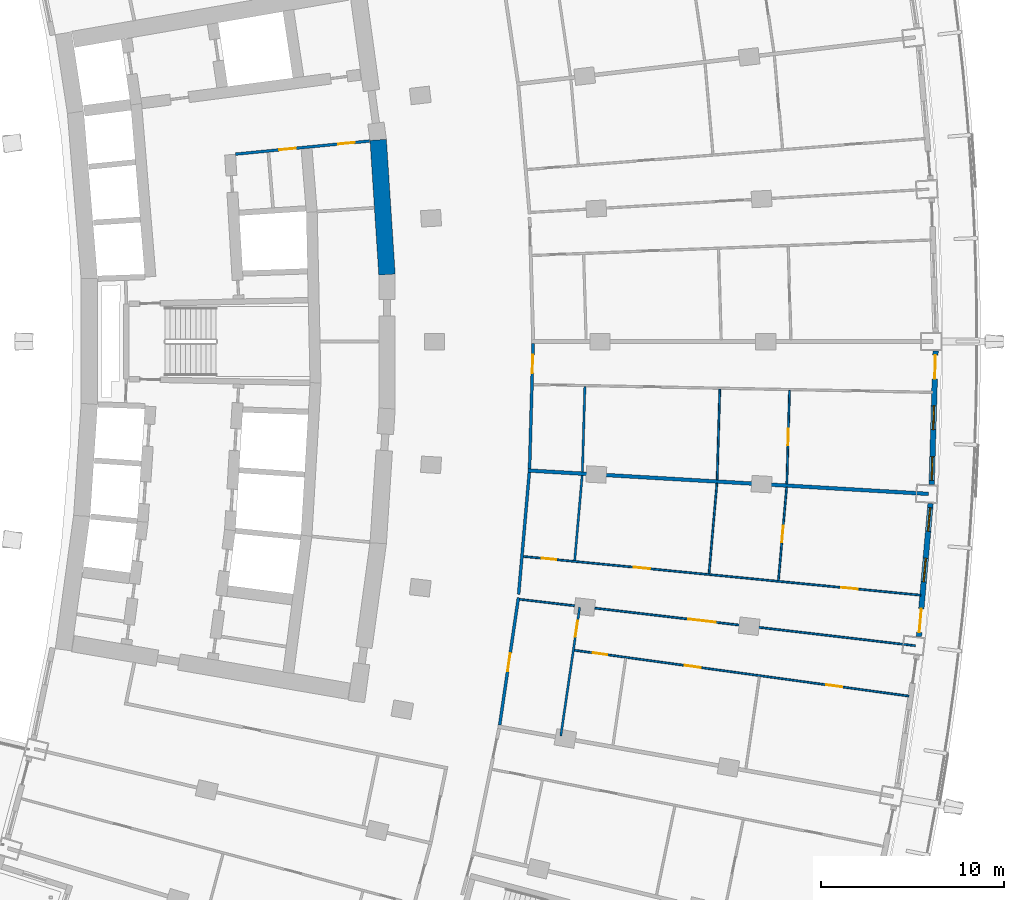
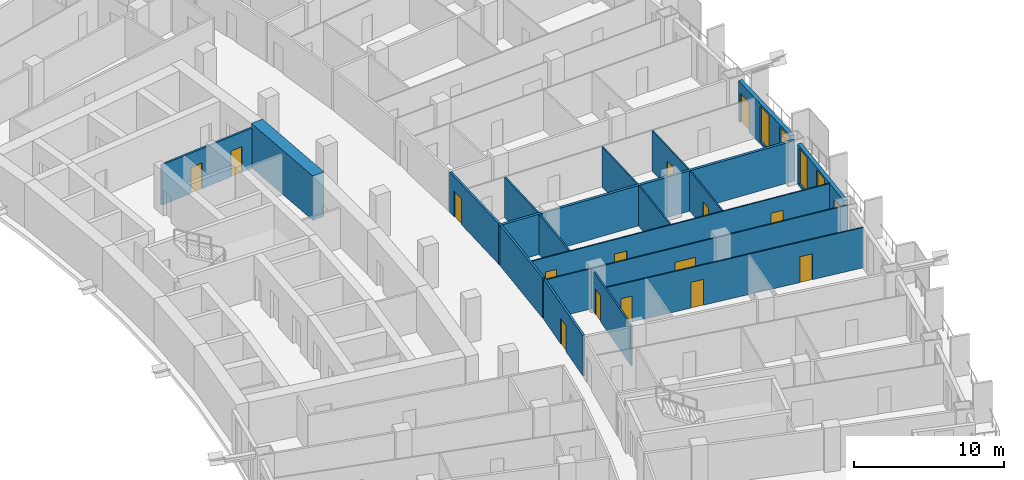
# One storey, part 14 of 22: 18 walls, 16 doors, 4 windows, 20 openings.
"""IFC4 building model written with IfcOpenShell, lengths in metres."""

from ifc_helpers import new_model, si_unit, direction, frame, frame_2d, origin, place, context, subcontext, project, spatial, rectangle, extrude, material, layer, layer_set, type_object, element, fill, save


model = new_model("IFC4")

# Units and contexts
model_context = context("Model", 3, precision=1e-05, world=origin(), true_north=direction((0.0, 1.0)))
body_context = subcontext(model_context, "Body", "Model", "MODEL_VIEW")
ifc_project = project(units=[si_unit("LENGTHUNIT", "METRE"), si_unit("AREAUNIT", "SQUARE_METRE"), si_unit("VOLUMEUNIT", "CUBIC_METRE"), si_unit("PLANEANGLEUNIT", "RADIAN"), si_unit("MASSUNIT", "GRAM", prefix="KILO")], contexts=[model_context])

# Site, building, storey
site_placement = place(None, origin())
site = spatial("IfcSite", under=ifc_project, at=site_placement, CompositionType="ELEMENT")
building_placement = place(site_placement, origin())
building = spatial("IfcBuilding", under=site, at=building_placement, Name="Alderwake Tower", CompositionType="ELEMENT")
storey_placement = place(building_placement, frame((0.0, 0.0, 50.0)))
storey = spatial("IfcBuildingStorey", under=building, at=storey_placement, Name="L11", CompositionType="ELEMENT", Elevation=50.0)

# Wall, openings, doors
ifc_material_1 = material(Name="Gypsum shaft wall system, rated")
ifc_layer_1 = layer(ifc_material_1, 0.14990234375)
ifc_layer_set_1 = layer_set([ifc_layer_1], Name="Core room partition 150")
wall_type_1 = type_object("IfcWallType", Name="Core room partition 150", PredefinedType="PARTITIONING", material=ifc_layer_set_1)
wall_1_placement = place(storey_placement, frame((32.233642578125, 71.982177734375, 0.0), z_axis=(0.0, 0.0, 1.0), x_axis=(-0.995245540971, -0.097397706226, 0.0)))
wall_1 = element("IfcWall", 1, at=wall_1_placement, inside=storey, type_object=wall_type_1, Name="CW/L11/PR+102_+86", PredefinedType="PARTITIONING", context=body_context, shape_type="SweptSolid", body=[
    extrude(rectangle(XDim=7.36962890625, YDim=0.14990234375, at=frame_2d((3.684814453125, 0.0))), origin(), (0.0, 0.0, 1.0), 3.280029296875),
])
opening_1_placement = place(wall_1_placement, frame((4.069580078125, 0.0, 0.0)))
opening_1 = element("IfcOpeningElement", 2, at=opening_1_placement, cuts=wall_1, Name="Opening C022", PredefinedType="OPENING", context=body_context, shape_type="SweptSolid", body=[
    extrude(rectangle(XDim=0.89990234375, YDim=2.10009765625, at=frame_2d((0.449951171875, 1.050048828125))), frame((0.0, 0.0849609375, 0.0), z_axis=(0.0, -1.0, 0.0), x_axis=(1.0, 0.0, 0.0)), (0.0, 0.0, 1.0), 0.169921875),
])
opening_2_placement = place(wall_1_placement, frame((0.819580078125, 0.0, 0.0)))
opening_2 = element("IfcOpeningElement", 3, at=opening_2_placement, cuts=wall_1, Name="Opening C036", PredefinedType="OPENING", context=body_context, shape_type="SweptSolid", body=[
    extrude(rectangle(XDim=0.89990234375, YDim=2.10009765625, at=frame_2d((0.449951171875, 1.050048828125))), frame((0.0, 0.0849609375, 0.0), z_axis=(0.0, -1.0, 0.0), x_axis=(1.0, 0.0, 0.0)), (0.0, 0.0, 1.0), 0.169921875),
])
ifc_material_2 = material(Name="Painted steel leaf", Category="steel")
door_type_1 = type_object("IfcDoorType", Name="Core room door 900", OperationType="SINGLE_SWING_LEFT", PredefinedType="DOOR", material=ifc_material_2)
door_1_placement = place(opening_1_placement, origin())
door_1 = element("IfcDoor", 4, at=door_1_placement, inside=storey, type_object=door_type_1, Name="Room door", OperationType="SINGLE_SWING_RIGHT", OverallHeight=2.10009765625, OverallWidth=0.89990234375, PredefinedType="DOOR", context=body_context, shape_type="SweptSolid", body=[
    extrude(rectangle(XDim=0.89990234375, YDim=2.10009765625, at=frame_2d((0.449951171875, 1.050048828125))), frame((0.0, 0.02490234375, 0.0), z_axis=(0.0, -1.0, 0.0), x_axis=(1.0, 0.0, 0.0)), (0.0, 0.0, 1.0), 0.050048828125),
])
fill(opening_1, door_1)
door_2_placement = place(opening_2_placement, origin())
door_2 = element("IfcDoor", 5, at=door_2_placement, inside=storey, type_object=door_type_1, Name="Room door", OperationType="SINGLE_SWING_RIGHT", OverallHeight=2.10009765625, OverallWidth=0.89990234375, PredefinedType="DOOR", context=body_context, shape_type="SweptSolid", body=[
    extrude(rectangle(XDim=0.89990234375, YDim=2.10009765625, at=frame_2d((0.449951171875, 1.050048828125))), frame((0.0, 0.02490234375, 0.0), z_axis=(0.0, -1.0, 0.0), x_axis=(1.0, 0.0, 0.0)), (0.0, 0.0, 1.0), 0.050048828125),
])
fill(opening_2, door_2)

# Wall
ifc_material_3 = material(Name="Concrete C70/85", Category="concrete")
ifc_layer_2 = layer(ifc_material_3, 0.89990234375)
ifc_layer_set_2 = layer_set([ifc_layer_2], Name="Core wall outer 900 C70-85")
wall_type_2 = type_object("IfcWallType", Name="Core wall outer 900 C70-85", PredefinedType="SHEAR", material=ifc_layer_set_2)
wall_2_placement = place(storey_placement, frame((33.191162109375, 64.66650390625, 0.0), z_axis=(0.0, 0.0, 1.0), x_axis=(-0.064976219143, 0.997886812693, 0.0)))
element("IfcWall", 6, at=wall_2_placement, inside=storey, type_object=wall_type_2, Name="Core wall CW.010", PredefinedType="SHEAR", context=body_context, shape_type="SweptSolid", body=[
    extrude(rectangle(XDim=7.39453125, YDim=0.89990234375, at=frame_2d((3.697265625, 0.0))), origin(), (0.0, 0.0, 1.0), 3.60009765625),
])

# Wall, opening, door
ifc_material_4 = material(Name="Gypsum board on metal studs, rated")
ifc_layer_3 = layer(ifc_material_4, 0.159912109375)
ifc_layer_set_3 = layer_set([ifc_layer_3], Name="Corridor wall 160")
wall_type_3 = type_object("IfcWallType", Name="Corridor wall 160", PredefinedType="PARTITIONING", material=ifc_layer_set_3)
wall_3_placement = place(storey_placement, frame((40.388671875, 46.97216796875, 0.0), z_axis=(0.0, 0.0, 1.0), x_axis=(-0.145525888156, -0.989354444007, 0.0)))
wall_3 = element("IfcWall", 7, at=wall_3_placement, inside=storey, type_object=wall_type_3, Name="WL/L11/W33", PredefinedType="PARTITIONING", context=body_context, shape_type="SweptSolid", body=[
    extrude(rectangle(XDim=7.051025390625, YDim=0.159912109375, at=frame_2d((3.525390625, 0.0))), origin(), (0.0, 0.0, 1.0), 3.280029296875),
])
opening_3_placement = place(wall_3_placement, frame((3.066162109375, 0.0, 0.0)))
opening_3 = element("IfcOpeningElement", 8, at=opening_3_placement, cuts=wall_3, Name="Opening R02-U06.2", PredefinedType="OPENING", context=body_context, shape_type="SweptSolid", body=[
    extrude(rectangle(XDim=1.0, YDim=2.10009765625, at=frame_2d((0.5, 1.050048828125))), frame((0.0, 0.08984375, 0.0), z_axis=(0.0, -1.0, 0.0), x_axis=(1.0, 0.0, 0.0)), (0.0, 0.0, 1.0), 0.179931640625),
])
ifc_material_5 = material(Name="Solid timber leaf in steel frame", Category="steel")
door_type_2 = type_object("IfcDoorType", Name="Flat entrance door 1000 fire-rated", OperationType="SINGLE_SWING_LEFT", PredefinedType="DOOR", material=ifc_material_5)
door_3_placement = place(opening_3_placement, origin())
door_3 = element("IfcDoor", 9, at=door_3_placement, inside=storey, type_object=door_type_2, Name="DR/L11/U06.2", OperationType="SINGLE_SWING_LEFT", OverallHeight=2.10009765625, OverallWidth=1.0, PredefinedType="DOOR", context=body_context, shape_type="SweptSolid", body=[
    extrude(rectangle(XDim=1.0, YDim=2.10009765625, at=frame_2d((0.5, 1.050048828125))), frame((0.0, 0.02490234375, 0.0), z_axis=(0.0, -1.0, 0.0), x_axis=(1.0, 0.0, 0.0)), (0.0, 0.0, 1.0), 0.050048828125),
])
fill(opening_3, door_3)

# Wall
wall_4_placement = place(storey_placement, frame((40.400390625, 47.15869140625, 0.0), z_axis=(0.0, 0.0, 1.0), x_axis=(0.087437661692, 0.996169993183, 0.0)))
element("IfcWall", 10, at=wall_4_placement, inside=storey, type_object=wall_type_3, Name="WL/L11/W36", PredefinedType="PARTITIONING", context=body_context, shape_type="SweptSolid", body=[
    extrude(rectangle(XDim=6.701171875, YDim=0.159912109375, at=frame_2d((3.3505859375, 0.0))), origin(), (0.0, 0.0, 1.0), 3.280029296875),
])

# Wall, opening, door
wall_5_placement = place(storey_placement, frame((41.196044921875, 60.89892578125, 0.0), z_axis=(0.0, 0.0, 1.0), x_axis=(-0.028865238788, -0.99958331218, 0.0)))
wall_5 = element("IfcWall", 11, at=wall_5_placement, inside=storey, type_object=wall_type_3, Name="WL/L11/W37", PredefinedType="PARTITIONING", context=body_context, shape_type="SweptSolid", body=[
    extrude(rectangle(XDim=6.867919921875, YDim=0.159912109375, at=frame_2d((3.43408203125, 0.0))), origin(), (0.0, 0.0, 1.0), 3.280029296875),
])
opening_4_placement = place(wall_5_placement, frame((0.627685546875, 0.0, 0.0)))
opening_4 = element("IfcOpeningElement", 12, at=opening_4_placement, cuts=wall_5, Name="Opening R02-U07.3", PredefinedType="OPENING", context=body_context, shape_type="SweptSolid", body=[
    extrude(rectangle(XDim=1.0, YDim=2.10009765625, at=frame_2d((0.5, 1.050048828125))), frame((0.0, 0.08984375, 0.0), z_axis=(0.0, -1.0, 0.0), x_axis=(1.0, 0.0, 0.0)), (0.0, 0.0, 1.0), 0.179931640625),
])
door_4_placement = place(opening_4_placement, origin())
door_4 = element("IfcDoor", 13, at=door_4_placement, inside=storey, type_object=door_type_2, Name="DR/L11/U07.3", OperationType="SINGLE_SWING_LEFT", OverallHeight=2.10009765625, OverallWidth=1.0, PredefinedType="DOOR", context=body_context, shape_type="SweptSolid", body=[
    extrude(rectangle(XDim=1.0, YDim=2.10009765625, at=frame_2d((0.5, 1.050048828125))), frame((0.0, 0.02490234375, 0.0), z_axis=(0.0, -1.0, 0.0), x_axis=(1.0, 0.0, 0.0)), (0.0, 0.0, 1.0), 0.050048828125),
])
fill(opening_4, door_4)

# Wall, openings, door, windows
ifc_material_6 = material(Name="Precast concrete C50/60 spandrel panel", Category="concrete")
ifc_layer_4 = layer(ifc_material_6, 0.300048828125)
ifc_layer_set_4 = layer_set([ifc_layer_4], Name="External wall EW1 Precast concrete C50/60 spandrel")
wall_type_4 = type_object("IfcWallType", Name="External wall EW1 Precast concrete C50/60 spandrel", PredefinedType="SOLIDWALL", material=ifc_layer_set_4)
wall_6_placement = place(storey_placement, frame((62.322021484375, 44.847900390625, 0.0), z_axis=(0.0, 0.0, 1.0), x_axis=(0.087383747715, 0.996174723949, 0.0)))
wall_6 = element("IfcWall", 14, at=wall_6_placement, inside=storey, type_object=wall_type_4, Name="External wall 15", PredefinedType="SOLIDWALL", context=body_context, shape_type="SweptSolid", body=[
    extrude(rectangle(XDim=7.305908203125, YDim=0.300048828125, at=frame_2d((3.65283203125, 0.0))), origin(), (0.0, 0.0, 1.0), 3.280029296875),
])
opening_5_placement = place(wall_6_placement, frame((0.222900390625, 0.0, 0.0)))
opening_5 = element("IfcOpeningElement", 15, at=opening_5_placement, cuts=wall_6, Name="Opening D06", PredefinedType="OPENING", context=body_context, shape_type="SweptSolid", body=[
    extrude(rectangle(XDim=1.300048828125, YDim=2.39990234375, at=frame_2d((0.64990234375, 1.199951171875))), frame((0.0, 0.159912109375, 0.0), z_axis=(0.0, -1.0, 0.0), x_axis=(1.0, 0.0, 0.0)), (0.0, 0.0, 1.0), 0.320068359375),
])
opening_6_placement = place(wall_6_placement, frame((3.0029296875, 0.0, 0.199951171875)))
opening_6 = element("IfcOpeningElement", 16, at=opening_6_placement, cuts=wall_6, Name="Opening W1", PredefinedType="OPENING", context=body_context, shape_type="SweptSolid", body=[
    extrude(rectangle(XDim=1.300048828125, YDim=2.89990234375, at=frame_2d((0.64990234375, 1.449951171875))), frame((0.0, 0.159912109375, 0.0), z_axis=(0.0, -1.0, 0.0), x_axis=(1.0, 0.0, 0.0)), (0.0, 0.0, 1.0), 0.320068359375),
])
opening_7_placement = place(wall_6_placement, frame((5.783203125, 0.0, 0.199951171875)))
opening_7 = element("IfcOpeningElement", 17, at=opening_7_placement, cuts=wall_6, Name="Opening W1", PredefinedType="OPENING", context=body_context, shape_type="SweptSolid", body=[
    extrude(rectangle(XDim=1.300048828125, YDim=2.89990234375, at=frame_2d((0.64990234375, 1.449951171875))), frame((0.0, 0.159912109375, 0.0), z_axis=(0.0, -1.0, 0.0), x_axis=(1.0, 0.0, 0.0)), (0.0, 0.0, 1.0), 0.320068359375),
])
ifc_material_7 = material(Name="Bronze tinted glass in aluminium frame", Category="aluminium")
door_type_3 = type_object("IfcDoorType", Name="Balcony door BD sliding", OperationType="SLIDING_TO_LEFT", PredefinedType="DOOR", material=ifc_material_7)
door_5_placement = place(opening_5_placement, origin())
door_5 = element("IfcDoor", 18, at=door_5_placement, inside=storey, type_object=door_type_3, Name="Door D06", OperationType="SLIDING_TO_LEFT", OverallHeight=2.39990234375, OverallWidth=1.300048828125, PredefinedType="DOOR", context=body_context, shape_type="SweptSolid", body=[
    extrude(rectangle(XDim=1.300048828125, YDim=2.39990234375, at=frame_2d((0.64990234375, 1.199951171875))), frame((0.0, 0.02490234375, 0.0), z_axis=(0.0, -1.0, 0.0), x_axis=(1.0, 0.0, 0.0)), (0.0, 0.0, 1.0), 0.050048828125),
])
fill(opening_5, door_5)
ifc_material_8 = material(Name="Bronze tinted glass in aluminium frame", Category="aluminium")
window_type = type_object("IfcWindowType", Name="Window W1 tall fixed and vent", PartitioningType="DOUBLE_PANEL_VERTICAL", PredefinedType="WINDOW", material=ifc_material_8)
window_1_placement = place(opening_6_placement, origin())
window_1 = element("IfcWindow", 19, at=window_1_placement, inside=storey, type_object=window_type, Name="Window W1 tall fixed and vent", OverallHeight=2.89990234375, OverallWidth=1.300048828125, PartitioningType="DOUBLE_PANEL_VERTICAL", PredefinedType="WINDOW", context=body_context, shape_type="SweptSolid", body=[
    extrude(rectangle(XDim=1.300048828125, YDim=2.89990234375, at=frame_2d((0.64990234375, 1.449951171875))), frame((0.0, 0.030029296875, 0.0), z_axis=(0.0, -1.0, 0.0), x_axis=(1.0, 0.0, 0.0)), (0.0, 0.0, 1.0), 0.06005859375),
])
fill(opening_6, window_1)
window_2_placement = place(opening_7_placement, origin())
window_2 = element("IfcWindow", 20, at=window_2_placement, inside=storey, type_object=window_type, Name="Window W1 tall fixed and vent", OverallHeight=2.89990234375, OverallWidth=1.300048828125, PartitioningType="DOUBLE_PANEL_VERTICAL", PredefinedType="WINDOW", context=body_context, shape_type="SweptSolid", body=[
    extrude(rectangle(XDim=1.300048828125, YDim=2.89990234375, at=frame_2d((0.64990234375, 1.449951171875))), frame((0.0, 0.030029296875, 0.0), z_axis=(0.0, -1.0, 0.0), x_axis=(1.0, 0.0, 0.0)), (0.0, 0.0, 1.0), 0.06005859375),
])
fill(opening_7, window_2)

wall_7_placement = place(storey_placement, frame((63.021728515625, 53.1728515625, 0.0), z_axis=(0.0, 0.0, 1.0), x_axis=(0.029139800133, 0.999575345859, 0.0)))
wall_7 = element("IfcWall", 21, at=wall_7_placement, inside=storey, type_object=wall_type_4, Name="External wall 16", PredefinedType="SOLIDWALL", context=body_context, shape_type="SweptSolid", body=[
    extrude(rectangle(XDim=7.305908203125, YDim=0.300048828125, at=frame_2d((3.65283203125, 0.0))), origin(), (0.0, 0.0, 1.0), 3.280029296875),
])
opening_8_placement = place(wall_7_placement, frame((0.222900390625, 0.0, 0.199951171875)))
opening_8 = element("IfcOpeningElement", 22, at=opening_8_placement, cuts=wall_7, Name="Opening W1", PredefinedType="OPENING", context=body_context, shape_type="SweptSolid", body=[
    extrude(rectangle(XDim=1.300048828125, YDim=2.89990234375, at=frame_2d((0.64990234375, 1.449951171875))), frame((0.0, 0.159912109375, 0.0), z_axis=(0.0, -1.0, 0.0), x_axis=(1.0, 0.0, 0.0)), (0.0, 0.0, 1.0), 0.320068359375),
])
opening_9_placement = place(wall_7_placement, frame((3.0029296875, 0.0, 0.199951171875)))
opening_9 = element("IfcOpeningElement", 23, at=opening_9_placement, cuts=wall_7, Name="Opening W1", PredefinedType="OPENING", context=body_context, shape_type="SweptSolid", body=[
    extrude(rectangle(XDim=1.300048828125, YDim=2.89990234375, at=frame_2d((0.64990234375, 1.449951171875))), frame((0.0, 0.159912109375, 0.0), z_axis=(0.0, -1.0, 0.0), x_axis=(1.0, 0.0, 0.0)), (0.0, 0.0, 1.0), 0.320068359375),
])
opening_10_placement = place(wall_7_placement, frame((5.783203125, 0.0, 0.0)))
opening_10 = element("IfcOpeningElement", 24, at=opening_10_placement, cuts=wall_7, Name="Opening D07", PredefinedType="OPENING", context=body_context, shape_type="SweptSolid", body=[
    extrude(rectangle(XDim=1.300048828125, YDim=2.39990234375, at=frame_2d((0.64990234375, 1.199951171875))), frame((0.0, 0.159912109375, 0.0), z_axis=(0.0, -1.0, 0.0), x_axis=(1.0, 0.0, 0.0)), (0.0, 0.0, 1.0), 0.320068359375),
])
door_6_placement = place(opening_10_placement, origin())
door_6 = element("IfcDoor", 25, at=door_6_placement, inside=storey, type_object=door_type_3, Name="Door D07", OperationType="SLIDING_TO_LEFT", OverallHeight=2.39990234375, OverallWidth=1.300048828125, PredefinedType="DOOR", context=body_context, shape_type="SweptSolid", body=[
    extrude(rectangle(XDim=1.300048828125, YDim=2.39990234375, at=frame_2d((0.64990234375, 1.199951171875))), frame((0.0, 0.02490234375, 0.0), z_axis=(0.0, -1.0, 0.0), x_axis=(1.0, 0.0, 0.0)), (0.0, 0.0, 1.0), 0.050048828125),
])
fill(opening_10, door_6)
window_3_placement = place(opening_8_placement, origin())
window_3 = element("IfcWindow", 26, at=window_3_placement, inside=storey, type_object=window_type, Name="Window W1 tall fixed and vent", OverallHeight=2.89990234375, OverallWidth=1.300048828125, PartitioningType="DOUBLE_PANEL_VERTICAL", PredefinedType="WINDOW", context=body_context, shape_type="SweptSolid", body=[
    extrude(rectangle(XDim=1.300048828125, YDim=2.89990234375, at=frame_2d((0.64990234375, 1.449951171875))), frame((0.0, 0.030029296875, 0.0), z_axis=(0.0, -1.0, 0.0), x_axis=(1.0, 0.0, 0.0)), (0.0, 0.0, 1.0), 0.06005859375),
])
fill(opening_8, window_3)
window_4_placement = place(opening_9_placement, origin())
window_4 = element("IfcWindow", 27, at=window_4_placement, inside=storey, type_object=window_type, Name="Window W1 tall fixed and vent", OverallHeight=2.89990234375, OverallWidth=1.300048828125, PartitioningType="DOUBLE_PANEL_VERTICAL", PredefinedType="WINDOW", context=body_context, shape_type="SweptSolid", body=[
    extrude(rectangle(XDim=1.300048828125, YDim=2.89990234375, at=frame_2d((0.64990234375, 1.449951171875))), frame((0.0, 0.030029296875, 0.0), z_axis=(0.0, -1.0, 0.0), x_axis=(1.0, 0.0, 0.0)), (0.0, 0.0, 1.0), 0.06005859375),
])
fill(opening_9, window_4)

# Wall
ifc_material_9 = material(Name="Dense block masonry wall", Category="masonry")
ifc_layer_5 = layer(ifc_material_9, 0.199951171875)
ifc_layer_set_5 = layer_set([ifc_layer_5], Name="Party wall 200")
wall_type_5 = type_object("IfcWallType", Name="Party wall 200", PredefinedType="SOLIDWALL", material=ifc_layer_set_5)
wall_8_placement = place(storey_placement, frame((62.85595703125, 52.656005859375, 0.0), z_axis=(0.0, 0.0, 1.0), x_axis=(-0.998295452379, 0.058362571568, 0.0)))
element("IfcWall", 28, at=wall_8_placement, inside=storey, type_object=wall_type_5, Name="WL/L11/W10", PredefinedType="SOLIDWALL", context=body_context, shape_type="SweptSolid", body=[
    extrude(rectangle(XDim=21.978271484375, YDim=0.199951171875, at=frame_2d((10.9892578125, 0.0))), origin(), (0.0, 0.0, 1.0), 3.280029296875),
])

# Wall, opening, door
ifc_material_10 = material(Name="Gypsum board on metal studs")
ifc_layer_6 = layer(ifc_material_10, 0.10009765625)
ifc_layer_set_6 = layer_set([ifc_layer_6], Name="Unit partition 100")
wall_type_6 = type_object("IfcWallType", Name="Unit partition 100", PredefinedType="PARTITIONING", material=ifc_layer_set_6)
wall_9_placement = place(storey_placement, frame((40.45654296875, 46.8837890625, 0.0), z_axis=(0.0, 0.0, 1.0), x_axis=(0.993196735589, -0.116448462487, 0.0)))
wall_9 = element("IfcWall", 29, at=wall_9_placement, inside=storey, type_object=wall_type_6, Name="WL/L11/W68", PredefinedType="PARTITIONING", context=body_context, shape_type="SweptSolid", body=[
    extrude(rectangle(XDim=21.81884765625, YDim=0.10009765625, at=frame_2d((10.909423828125, 0.0))), origin(), (0.0, 0.0, 1.0), 3.280029296875),
])
opening_11_placement = place(wall_9_placement, frame((9.304931640625, 0.0, 0.0)))
opening_11 = element("IfcOpeningElement", 30, at=opening_11_placement, cuts=wall_9, Name="Opening R02-U06.10", PredefinedType="OPENING", context=body_context, shape_type="SweptSolid", body=[
    extrude(rectangle(XDim=1.5, YDim=2.10009765625, at=frame_2d((0.75, 1.050048828125))), frame((0.0, 0.06005859375, 0.0), z_axis=(0.0, -1.0, 0.0), x_axis=(1.0, 0.0, 0.0)), (0.0, 0.0, 1.0), 0.1201171875),
])
ifc_material_11 = material(Name="Painted timber leaves", Category="wood")
door_type_4 = type_object("IfcDoorType", Name="Double leaf door 1500", OperationType="DOUBLE_DOOR_SINGLE_SWING", PredefinedType="DOOR", material=ifc_material_11)
door_7_placement = place(opening_11_placement, origin())
door_7 = element("IfcDoor", 31, at=door_7_placement, inside=storey, type_object=door_type_4, Name="DR/L11/U06.10", OperationType="DOUBLE_DOOR_SINGLE_SWING", OverallHeight=2.10009765625, OverallWidth=1.5, PredefinedType="DOOR", context=body_context, shape_type="SweptSolid", body=[
    extrude(rectangle(XDim=1.5, YDim=2.10009765625, at=frame_2d((0.75, 1.050048828125))), frame((0.0, 0.02490234375, 0.0), z_axis=(0.0, -1.0, 0.0), x_axis=(1.0, 0.0, 0.0)), (0.0, 0.0, 1.0), 0.050048828125),
])
fill(opening_11, door_7)

# Wall, openings, doors
wall_10_placement = place(storey_placement, frame((40.66064453125, 49.231201171875, 0.0), z_axis=(0.0, 0.0, 1.0), x_axis=(0.995277449828, -0.097071096952, 0.0)))
wall_10 = element("IfcWall", 32, at=wall_10_placement, inside=storey, type_object=wall_type_6, Name="WL/L11/W69", PredefinedType="PARTITIONING", context=body_context, shape_type="SweptSolid", body=[
    extrude(rectangle(XDim=21.863525390625, YDim=0.10009765625, at=frame_2d((10.931640625, 0.0))), origin(), (0.0, 0.0, 1.0), 3.280029296875),
])
opening_12_placement = place(wall_10_placement, frame((6.065673828125, 0.0, 0.0)))
opening_12 = element("IfcOpeningElement", 33, at=opening_12_placement, cuts=wall_10, Name="Opening R02-U06.6", PredefinedType="OPENING", context=body_context, shape_type="SweptSolid", body=[
    extrude(rectangle(XDim=0.89990234375, YDim=2.10009765625, at=frame_2d((0.449951171875, 1.050048828125))), frame((0.0, 0.06005859375, 0.0), z_axis=(0.0, -1.0, 0.0), x_axis=(1.0, 0.0, 0.0)), (0.0, 0.0, 1.0), 0.1201171875),
])
opening_13_placement = place(wall_10_placement, frame((1.010009765625, 0.0, 0.0)))
opening_13 = element("IfcOpeningElement", 34, at=opening_13_placement, cuts=wall_10, Name="Opening R02-U06.7", PredefinedType="OPENING", context=body_context, shape_type="SweptSolid", body=[
    extrude(rectangle(XDim=0.800048828125, YDim=2.10009765625, at=frame_2d((0.39990234375, 1.050048828125))), frame((0.0, 0.06005859375, 0.0), z_axis=(0.0, -1.0, 0.0), x_axis=(1.0, 0.0, 0.0)), (0.0, 0.0, 1.0), 0.1201171875),
])
opening_14_placement = place(wall_10_placement, frame((17.497802734375, 0.0, 0.0)))
opening_14 = element("IfcOpeningElement", 35, at=opening_14_placement, cuts=wall_10, Name="Opening R02-U06.8", PredefinedType="OPENING", context=body_context, shape_type="SweptSolid", body=[
    extrude(rectangle(XDim=0.89990234375, YDim=2.10009765625, at=frame_2d((0.449951171875, 1.050048828125))), frame((0.0, 0.06005859375, 0.0), z_axis=(0.0, -1.0, 0.0), x_axis=(1.0, 0.0, 0.0)), (0.0, 0.0, 1.0), 0.1201171875),
])
ifc_material_12 = material(Name="Painted timber leaf", Category="wood")
door_type_5 = type_object("IfcDoorType", Name="Bathroom door 800", OperationType="SINGLE_SWING_LEFT", PredefinedType="DOOR", material=ifc_material_12)
door_8_placement = place(opening_13_placement, origin())
door_8 = element("IfcDoor", 36, at=door_8_placement, inside=storey, type_object=door_type_5, Name="DR/L11/U06.7", OperationType="SINGLE_SWING_LEFT", OverallHeight=2.10009765625, OverallWidth=0.800048828125, PredefinedType="DOOR", context=body_context, shape_type="SweptSolid", body=[
    extrude(rectangle(XDim=0.800048828125, YDim=2.10009765625, at=frame_2d((0.39990234375, 1.050048828125))), frame((0.0, 0.02490234375, 0.0), z_axis=(0.0, -1.0, 0.0), x_axis=(1.0, 0.0, 0.0)), (0.0, 0.0, 1.0), 0.050048828125),
])
fill(opening_13, door_8)
ifc_material_13 = material(Name="Painted timber leaf", Category="wood")
door_type_6 = type_object("IfcDoorType", Name="Room door 900", OperationType="SINGLE_SWING_LEFT", PredefinedType="DOOR", material=ifc_material_13)
door_9_placement = place(opening_12_placement, origin())
door_9 = element("IfcDoor", 37, at=door_9_placement, inside=storey, type_object=door_type_6, Name="DR/L11/U06.6", OperationType="SINGLE_SWING_LEFT", OverallHeight=2.10009765625, OverallWidth=0.89990234375, PredefinedType="DOOR", context=body_context, shape_type="SweptSolid", body=[
    extrude(rectangle(XDim=0.89990234375, YDim=2.10009765625, at=frame_2d((0.449951171875, 1.050048828125))), frame((0.0, 0.02490234375, 0.0), z_axis=(0.0, -1.0, 0.0), x_axis=(1.0, 0.0, 0.0)), (0.0, 0.0, 1.0), 0.050048828125),
])
fill(opening_12, door_9)
door_10_placement = place(opening_14_placement, origin())
door_10 = element("IfcDoor", 38, at=door_10_placement, inside=storey, type_object=door_type_6, Name="DR/L11/U06.8", OperationType="SINGLE_SWING_LEFT", OverallHeight=2.10009765625, OverallWidth=0.89990234375, PredefinedType="DOOR", context=body_context, shape_type="SweptSolid", body=[
    extrude(rectangle(XDim=0.89990234375, YDim=2.10009765625, at=frame_2d((0.449951171875, 1.050048828125))), frame((0.0, 0.02490234375, 0.0), z_axis=(0.0, -1.0, 0.0), x_axis=(1.0, 0.0, 0.0)), (0.0, 0.0, 1.0), 0.050048828125),
])
fill(opening_14, door_10)

wall_11_placement = place(storey_placement, frame((61.77294921875, 41.5830078125, 0.0), z_axis=(0.0, 0.0, 1.0), x_axis=(-0.990745740942, 0.13573089849, 0.0)))
wall_11 = element("IfcWall", 39, at=wall_11_placement, inside=storey, type_object=wall_type_6, Name="WL/L11/W74", PredefinedType="PARTITIONING", context=body_context, shape_type="SweptSolid", body=[
    extrude(rectangle(XDim=18.483642578125, YDim=0.10009765625, at=frame_2d((9.24169921875, 0.0))), origin(), (0.0, 0.0, 1.0), 3.280029296875),
])
opening_15_placement = place(wall_11_placement, frame((11.4990234375, 0.0, 0.0)))
opening_15 = element("IfcOpeningElement", 40, at=opening_15_placement, cuts=wall_11, Name="Opening R02-U06.1", PredefinedType="OPENING", context=body_context, shape_type="SweptSolid", body=[
    extrude(rectangle(XDim=0.89990234375, YDim=2.10009765625, at=frame_2d((0.449951171875, 1.050048828125))), frame((0.0, 0.06005859375, 0.0), z_axis=(0.0, -1.0, 0.0), x_axis=(1.0, 0.0, 0.0)), (0.0, 0.0, 1.0), 0.1201171875),
])
opening_16_placement = place(wall_11_placement, frame((16.6640625, 0.0, 0.0)))
opening_16 = element("IfcOpeningElement", 41, at=opening_16_placement, cuts=wall_11, Name="Opening R02-U06.4", PredefinedType="OPENING", context=body_context, shape_type="SweptSolid", body=[
    extrude(rectangle(XDim=0.800048828125, YDim=2.10009765625, at=frame_2d((0.39990234375, 1.050048828125))), frame((0.0, 0.06005859375, 0.0), z_axis=(0.0, -1.0, 0.0), x_axis=(1.0, 0.0, 0.0)), (0.0, 0.0, 1.0), 0.1201171875),
])
opening_17_placement = place(wall_11_placement, frame((3.676513671875, 0.0, 0.0)))
opening_17 = element("IfcOpeningElement", 42, at=opening_17_placement, cuts=wall_11, Name="Opening R02-U06.5", PredefinedType="OPENING", context=body_context, shape_type="SweptSolid", body=[
    extrude(rectangle(XDim=0.89990234375, YDim=2.10009765625, at=frame_2d((0.449951171875, 1.050048828125))), frame((0.0, 0.06005859375, 0.0), z_axis=(0.0, -1.0, 0.0), x_axis=(1.0, 0.0, 0.0)), (0.0, 0.0, 1.0), 0.1201171875),
])
door_11_placement = place(opening_16_placement, origin())
door_11 = element("IfcDoor", 43, at=door_11_placement, inside=storey, type_object=door_type_5, Name="DR/L11/U06.4", OperationType="SINGLE_SWING_LEFT", OverallHeight=2.10009765625, OverallWidth=0.800048828125, PredefinedType="DOOR", context=body_context, shape_type="SweptSolid", body=[
    extrude(rectangle(XDim=0.800048828125, YDim=2.10009765625, at=frame_2d((0.39990234375, 1.050048828125))), frame((0.0, 0.02490234375, 0.0), z_axis=(0.0, -1.0, 0.0), x_axis=(1.0, 0.0, 0.0)), (0.0, 0.0, 1.0), 0.050048828125),
])
fill(opening_16, door_11)
door_12_placement = place(opening_15_placement, origin())
door_12 = element("IfcDoor", 44, at=door_12_placement, inside=storey, type_object=door_type_6, Name="DR/L11/U06.1", OperationType="SINGLE_SWING_LEFT", OverallHeight=2.10009765625, OverallWidth=0.89990234375, PredefinedType="DOOR", context=body_context, shape_type="SweptSolid", body=[
    extrude(rectangle(XDim=0.89990234375, YDim=2.10009765625, at=frame_2d((0.449951171875, 1.050048828125))), frame((0.0, 0.02490234375, 0.0), z_axis=(0.0, -1.0, 0.0), x_axis=(1.0, 0.0, 0.0)), (0.0, 0.0, 1.0), 0.050048828125),
])
fill(opening_15, door_12)
door_13_placement = place(opening_17_placement, origin())
door_13 = element("IfcDoor", 45, at=door_13_placement, inside=storey, type_object=door_type_6, Name="DR/L11/U06.5", OperationType="SINGLE_SWING_LEFT", OverallHeight=2.10009765625, OverallWidth=0.89990234375, PredefinedType="DOOR", context=body_context, shape_type="SweptSolid", body=[
    extrude(rectangle(XDim=0.89990234375, YDim=2.10009765625, at=frame_2d((0.449951171875, 1.050048828125))), frame((0.0, 0.02490234375, 0.0), z_axis=(0.0, -1.0, 0.0), x_axis=(1.0, 0.0, 0.0)), (0.0, 0.0, 1.0), 0.050048828125),
])
fill(opening_17, door_13)

# Walls
wall_12_placement = place(storey_placement, frame((50.827392578125, 48.289794921875, 0.0), z_axis=(0.0, 0.0, 1.0), x_axis=(0.087404299635, 0.996172920936, 0.0)))
element("IfcWall", 46, at=wall_12_placement, inside=storey, type_object=wall_type_6, Name="WL/L11/W80", PredefinedType="PARTITIONING", context=body_context, shape_type="SweptSolid", body=[
    extrude(rectangle(XDim=4.963623046875, YDim=0.10009765625, at=frame_2d((2.48193359375, 0.0))), origin(), (0.0, 0.0, 1.0), 3.280029296875),
])
wall_13_placement = place(storey_placement, frame((51.27294921875, 53.43408203125, 0.0), z_axis=(0.0, 0.0, 1.0), x_axis=(0.029312335146, 0.999570301184, 0.0)))
element("IfcWall", 47, at=wall_13_placement, inside=storey, type_object=wall_type_6, Name="WL/L11/W83", PredefinedType="PARTITIONING", context=body_context, shape_type="SweptSolid", body=[
    extrude(rectangle(XDim=4.964111328125, YDim=0.10009765625, at=frame_2d((2.48193359375, 0.0))), origin(), (0.0, 0.0, 1.0), 3.280029296875),
])

# Wall, opening, door
wall_14_placement = place(storey_placement, frame((54.63134765625, 47.9208984375, 0.0), z_axis=(0.0, 0.0, 1.0), x_axis=(0.087274799562, 0.996184274801, 0.0)))
wall_14 = element("IfcWall", 48, at=wall_14_placement, inside=storey, type_object=wall_type_6, Name="WL/L11/W89", PredefinedType="PARTITIONING", context=body_context, shape_type="SweptSolid", body=[
    extrude(rectangle(XDim=5.11083984375, YDim=0.10009765625, at=frame_2d((2.555419921875, 0.0))), origin(), (0.0, 0.0, 1.0), 3.280029296875),
])
opening_18_placement = place(wall_14_placement, frame((2.10546875, 0.0, 0.0)))
opening_18 = element("IfcOpeningElement", 49, at=opening_18_placement, cuts=wall_14, Name="Opening R02-U06.9", PredefinedType="OPENING", context=body_context, shape_type="SweptSolid", body=[
    extrude(rectangle(XDim=0.89990234375, YDim=2.10009765625, at=frame_2d((0.449951171875, 1.050048828125))), frame((0.0, 0.06005859375, 0.0), z_axis=(0.0, -1.0, 0.0), x_axis=(1.0, 0.0, 0.0)), (0.0, 0.0, 1.0), 0.1201171875),
])
door_14_placement = place(opening_18_placement, origin())
door_14 = element("IfcDoor", 50, at=door_14_placement, inside=storey, type_object=door_type_6, Name="DR/L11/U06.9", OperationType="SINGLE_SWING_LEFT", OverallHeight=2.10009765625, OverallWidth=0.89990234375, PredefinedType="DOOR", context=body_context, shape_type="SweptSolid", body=[
    extrude(rectangle(XDim=0.89990234375, YDim=2.10009765625, at=frame_2d((0.449951171875, 1.050048828125))), frame((0.0, 0.02490234375, 0.0), z_axis=(0.0, -1.0, 0.0), x_axis=(1.0, 0.0, 0.0)), (0.0, 0.0, 1.0), 0.050048828125),
])
fill(opening_18, door_14)

wall_15_placement = place(storey_placement, frame((55.0888671875, 53.2119140625, 0.0), z_axis=(0.0, 0.0, 1.0), x_axis=(0.02908884644, 0.99957682997, 0.0)))
wall_15 = element("IfcWall", 51, at=wall_15_placement, inside=storey, type_object=wall_type_6, Name="WL/L11/W91", PredefinedType="PARTITIONING", context=body_context, shape_type="SweptSolid", body=[
    extrude(rectangle(XDim=5.111328125, YDim=0.10009765625, at=frame_2d((2.5556640625, 0.0))), origin(), (0.0, 0.0, 1.0), 3.280029296875),
])
opening_19_placement = place(wall_15_placement, frame((2.105712890625, 0.0, 0.0)))
opening_19 = element("IfcOpeningElement", 52, at=opening_19_placement, cuts=wall_15, Name="Opening R02-U07.2", PredefinedType="OPENING", context=body_context, shape_type="SweptSolid", body=[
    extrude(rectangle(XDim=0.89990234375, YDim=2.10009765625, at=frame_2d((0.449951171875, 1.050048828125))), frame((0.0, 0.06005859375, 0.0), z_axis=(0.0, -1.0, 0.0), x_axis=(1.0, 0.0, 0.0)), (0.0, 0.0, 1.0), 0.1201171875),
])
door_15_placement = place(opening_19_placement, origin())
door_15 = element("IfcDoor", 53, at=door_15_placement, inside=storey, type_object=door_type_6, Name="DR/L11/U07.2", OperationType="SINGLE_SWING_LEFT", OverallHeight=2.10009765625, OverallWidth=0.89990234375, PredefinedType="DOOR", context=body_context, shape_type="SweptSolid", body=[
    extrude(rectangle(XDim=0.89990234375, YDim=2.10009765625, at=frame_2d((0.449951171875, 1.050048828125))), frame((0.0, 0.02490234375, 0.0), z_axis=(0.0, -1.0, 0.0), x_axis=(1.0, 0.0, 0.0)), (0.0, 0.0, 1.0), 0.050048828125),
])
fill(opening_19, door_15)

ifc_material_14 = material(Name="Moisture resistant gypsum board on metal studs")
ifc_layer_7 = layer(ifc_material_14, 0.1201171875)
ifc_layer_set_7 = layer_set([ifc_layer_7], Name="Wet room partition 120")
wall_type_7 = type_object("IfcWallType", Name="Wet room partition 120", PredefinedType="PARTITIONING", material=ifc_layer_set_7)
wall_16_placement = place(storey_placement, frame((43.74462890625, 46.447509765625, 0.0), z_axis=(0.0, 0.0, 1.0), x_axis=(-0.145290574876, -0.989389028063, 0.0)))
wall_16 = element("IfcWall", 54, at=wall_16_placement, inside=storey, type_object=wall_type_7, Name="WL/L11/W53", PredefinedType="PARTITIONING", context=body_context, shape_type="SweptSolid", body=[
    extrude(rectangle(XDim=7.117919921875, YDim=0.1201171875, at=frame_2d((3.55908203125, 0.0))), origin(), (0.0, 0.0, 1.0), 3.280029296875),
])
opening_20_placement = place(wall_16_placement, frame((0.736572265625, 0.0, 0.0)))
opening_20 = element("IfcOpeningElement", 55, at=opening_20_placement, cuts=wall_16, Name="Opening R02-U06.3", PredefinedType="OPENING", context=body_context, shape_type="SweptSolid", body=[
    extrude(rectangle(XDim=0.89990234375, YDim=2.10009765625, at=frame_2d((0.449951171875, 1.050048828125))), frame((0.0, 0.070068359375, 0.0), z_axis=(0.0, -1.0, 0.0), x_axis=(1.0, 0.0, 0.0)), (0.0, 0.0, 1.0), 0.14013671875),
])
door_16_placement = place(opening_20_placement, origin())
door_16 = element("IfcDoor", 56, at=door_16_placement, inside=storey, type_object=door_type_6, Name="DR/L11/U06.3", OperationType="SINGLE_SWING_LEFT", OverallHeight=2.10009765625, OverallWidth=0.89990234375, PredefinedType="DOOR", context=body_context, shape_type="SweptSolid", body=[
    extrude(rectangle(XDim=0.89990234375, YDim=2.10009765625, at=frame_2d((0.449951171875, 1.050048828125))), frame((0.0, 0.02490234375, 0.0), z_axis=(0.0, -1.0, 0.0), x_axis=(1.0, 0.0, 0.0)), (0.0, 0.0, 1.0), 0.050048828125),
])
fill(opening_20, door_16)

# Walls
wall_17_placement = place(storey_placement, frame((43.471435546875, 49.0068359375, 0.0), z_axis=(0.0, 0.0, 1.0), x_axis=(0.087584573872, 0.99615708722, 0.0)))
element("IfcWall", 57, at=wall_17_placement, inside=storey, type_object=wall_type_7, Name="WL/L11/W55", PredefinedType="PARTITIONING", context=body_context, shape_type="SweptSolid", body=[
    extrude(rectangle(XDim=4.677490234375, YDim=0.1201171875, at=frame_2d((2.3388671875, 0.0))), origin(), (0.0, 0.0, 1.0), 3.280029296875),
])
wall_18_placement = place(storey_placement, frame((43.892822265625, 53.865966796875, 0.0), z_axis=(0.0, 0.0, 1.0), x_axis=(0.029256273894, 0.999571943603, 0.0)))
element("IfcWall", 58, at=wall_18_placement, inside=storey, type_object=wall_type_7, Name="WL/L11/W57", PredefinedType="PARTITIONING", context=body_context, shape_type="SweptSolid", body=[
    extrude(rectangle(XDim=4.673095703125, YDim=0.1201171875, at=frame_2d((2.33642578125, 0.0))), origin(), (0.0, 0.0, 1.0), 3.280029296875),
])

save(model, "model.ifc")
